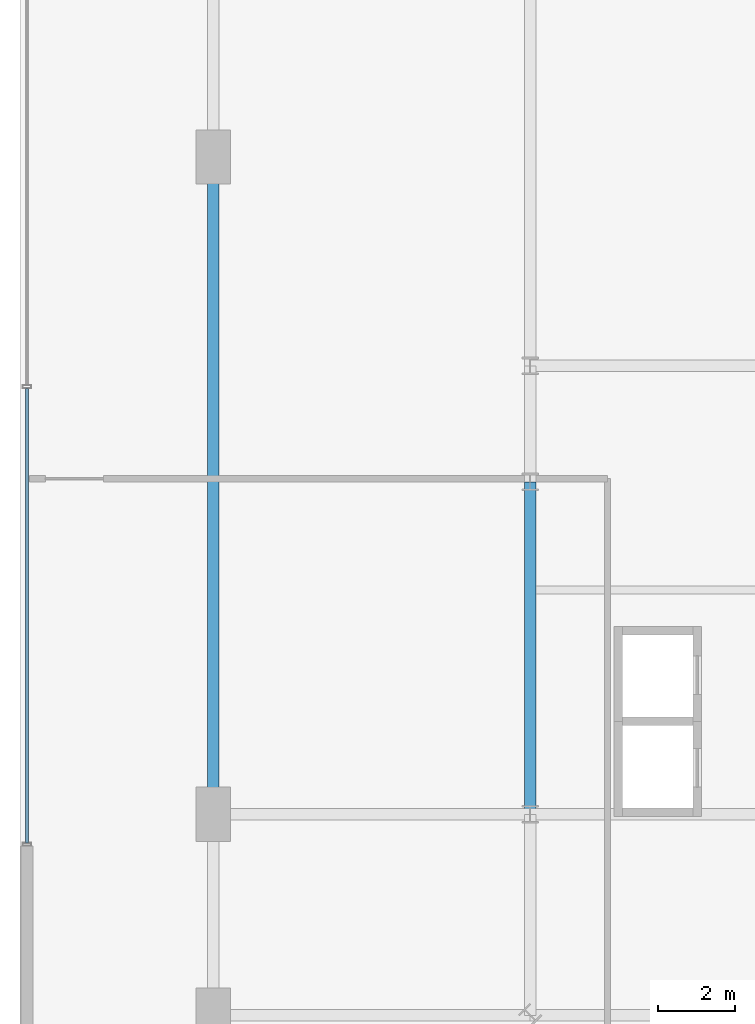
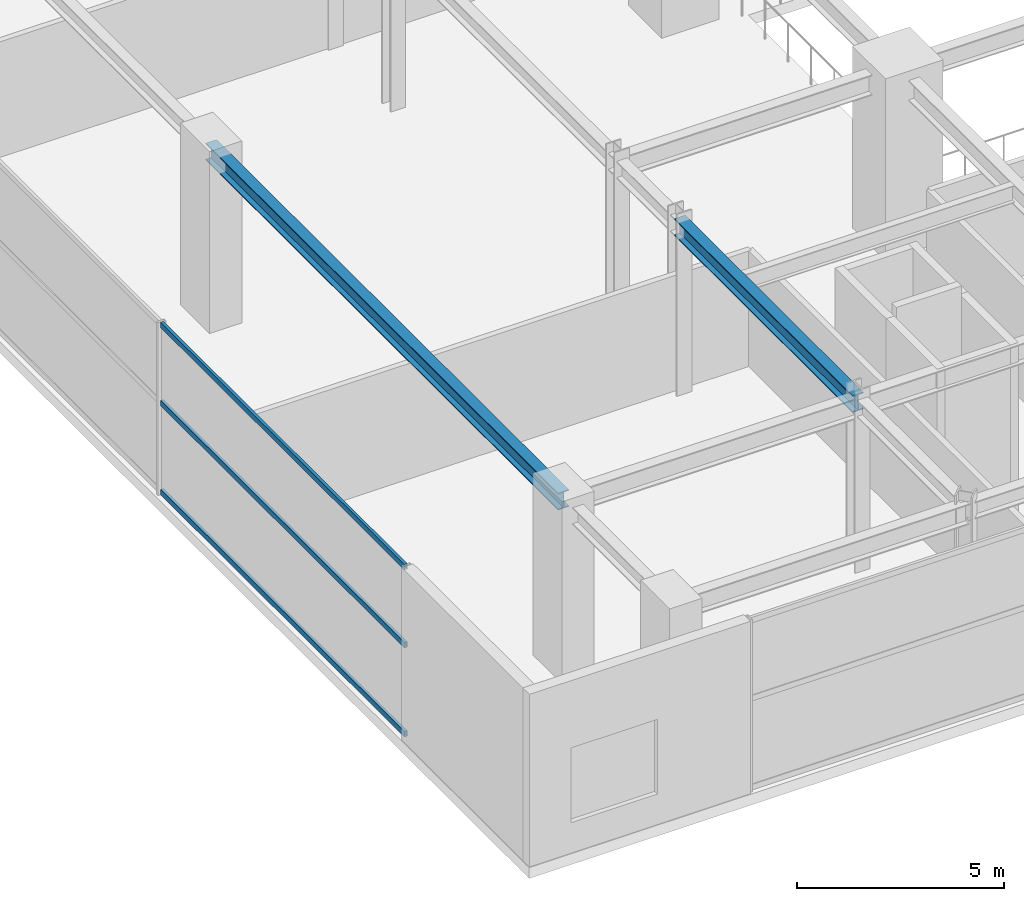
# One storey, part 5 of 32: 3 members, 2 beams, 1 element without a shape of its own.
"""IFC4 building model written with IfcOpenShell, lengths in metres."""

from ifc_helpers import new_model, si_unit, direction, frame, origin, origin_2d, place, context, subcontext, project, spatial, hollow_rectangle, i_section, extrude, source, transform, mapped, material, material_profile, profile_set, type_object, element, aggregate, save


model = new_model("IFC4")

# Units and contexts
model_context = context("Model", 3, precision=1e-05, world=origin(), true_north=direction((0.0, 1.0)))
body_context = subcontext(model_context, "Body", "Model", "MODEL_VIEW")
ifc_project = project(units=[si_unit("LENGTHUNIT", "METRE"), si_unit("AREAUNIT", "SQUARE_METRE"), si_unit("VOLUMEUNIT", "CUBIC_METRE"), si_unit("PLANEANGLEUNIT", "RADIAN"), si_unit("MASSUNIT", "GRAM", prefix="KILO")], contexts=[model_context])

# Site, building, storey
site_placement = place(None, origin())
site = spatial("IfcSite", under=ifc_project, at=site_placement, CompositionType="ELEMENT")
building_placement = place(site_placement, origin())
building = spatial("IfcBuilding", under=site, at=building_placement, Name="Nahalor Promenade Grand Hotel", CompositionType="ELEMENT")
storey_placement = place(building_placement, frame((0.0, 0.0, 5.39990234375)))
storey = spatial("IfcBuildingStorey", under=building, at=storey_placement, Name="L01", CompositionType="ELEMENT", Elevation=5.39990234375)

# Beams
ifc_material_1 = material(Name="Steel S355JR", Category="steel")
ifc_material_profile_1 = material_profile(ifc_material_1, i_section(OverallWidth=0.3, OverallDepth=0.5, WebThickness=0.0145, FlangeThickness=0.028, at=origin_2d()), Name="HEB 500")
ifc_profile_set_1 = profile_set([ifc_material_profile_1], Name="Steel S355JR")
beam_type = type_object("IfcBeamType", Name="Beam-Spandrel-HEB500", PredefinedType="SPANDREL", material=ifc_profile_set_1)
shared_shape_1 = source(origin(), body_context, "Body", "SweptSolid", [
    extrude(i_section(OverallWidth=0.3, OverallDepth=0.5, WebThickness=0.0145, FlangeThickness=0.028, at=origin_2d()), origin(), (0.0, 0.0, 1.0), 8.60009765625),
])
beam_1_placement = place(storey_placement, frame((-24.800048828125, -17.0, 4.830078125), z_axis=(0.0, 1.0, 0.0), x_axis=(-1.0, 0.0, 0.0)))
element("IfcBeam", 1, at=beam_1_placement, inside=storey, type_object=beam_type, Name="BM-L01-SP-W-0", PredefinedType="SPANDREL", context=body_context, shape_type="MappedRepresentation", body=[
    mapped(shared_shape_1, transform((0.0, 0.0, 0.0), scale=1.0)),
])
shared_shape_2 = source(origin(), body_context, "Body", "SweptSolid", [
    extrude(i_section(OverallWidth=0.3, OverallDepth=0.5, WebThickness=0.0145, FlangeThickness=0.028, at=origin_2d()), origin(), (0.0, 0.0, 1.0), 17.0),
])
beam_2_placement = place(storey_placement, frame((-33.0, -17.0, 4.830078125), z_axis=(0.0, 1.0, 0.0), x_axis=(-1.0, 0.0, 0.0)))
element("IfcBeam", 2, at=beam_2_placement, inside=storey, type_object=beam_type, Name="BM-L01-PW-1", PredefinedType="SPANDREL", context=body_context, shape_type="MappedRepresentation", body=[
    mapped(shared_shape_2, transform((0.0, 0.0, 0.0), scale=1.0)),
])

# Curtain wall, members
ifc_material_2 = material(Name="Anodised Bronze Aluminium EN AW-6063 T6", Category="aluminium")
curtain_wall_type = type_object("IfcCurtainWallType", Name="CW1 Waterfront Podium Bronze Arcade Curtain Wall", PredefinedType="USERDEFINED", material=ifc_material_2)
curtain_wall_placement = place(storey_placement, origin())
curtain_wall = element("IfcCurtainWall", 3, at=curtain_wall_placement, inside=storey, type_object=curtain_wall_type, Name="L01 Curtain Wall CW-L01-W", ObjectType="UNITISED_CURTAIN_WALL", PredefinedType="USERDEFINED")
ifc_material_profile_2 = material_profile(ifc_material_2, hollow_rectangle(XDim=0.08, YDim=0.16, WallThickness=0.004, at=origin_2d()), Name="CWT 80x160x4")
ifc_profile_set_2 = profile_set([ifc_material_profile_2], Name="Anodised Bronze Aluminium EN AW-6063 T6")
member_type = type_object("IfcMemberType", Name="CWT1 Podium Bronze Transom 80x160", PredefinedType="USERDEFINED", material=ifc_profile_set_2)
shared_shape_3 = source(origin(), body_context, "Body", "SweptSolid", [
    extrude(hollow_rectangle(XDim=0.08, YDim=0.16, WallThickness=0.004, at=origin_2d()), origin(), (0.0, 0.0, 1.0), 11.760009765625),
])
member_1_placement = place(storey_placement, frame((-37.820068359375, -17.739990234375, 0.080078125), z_axis=(0.0, 1.0, 0.0), x_axis=(-1.0, 0.0, 0.0)))
member_1 = element("IfcMember", 4, at=member_1_placement, type_object=member_type, Name="CW-L01-W Transom 0-0", ObjectType="TRANSOM", PredefinedType="USERDEFINED", context=body_context, shape_type="MappedRepresentation", body=[
    mapped(shared_shape_3, transform((0.0, 0.0, 0.0), scale=1.0)),
])
member_2_placement = place(storey_placement, frame((-37.820068359375, -17.739990234375, 2.7001953125), z_axis=(0.0, 1.0, 0.0), x_axis=(-1.0, 0.0, 0.0)))
member_2 = element("IfcMember", 5, at=member_2_placement, type_object=member_type, Name="CW-L01-W Transom 0-1", ObjectType="TRANSOM", PredefinedType="USERDEFINED", context=body_context, shape_type="MappedRepresentation", body=[
    mapped(shared_shape_3, transform((0.0, 0.0, 0.0), scale=1.0)),
])
member_3_placement = place(storey_placement, frame((-37.820068359375, -17.739990234375, 5.0), z_axis=(0.0, 1.0, 0.0), x_axis=(-1.0, 0.0, 0.0)))
member_3 = element("IfcMember", 6, at=member_3_placement, type_object=member_type, Name="CW-L01-W Transom 0-2", ObjectType="TRANSOM", PredefinedType="USERDEFINED", context=body_context, shape_type="MappedRepresentation", body=[
    mapped(shared_shape_3, transform((0.0, 0.0, 0.0), scale=1.0)),
])
aggregate(curtain_wall, [member_1, member_2, member_3])

save(model, "model.ifc")
